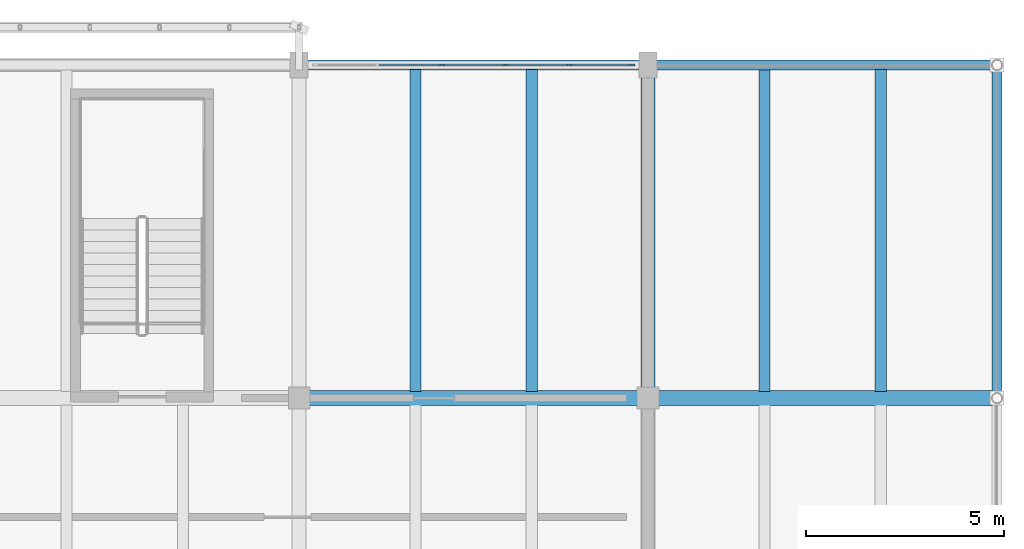
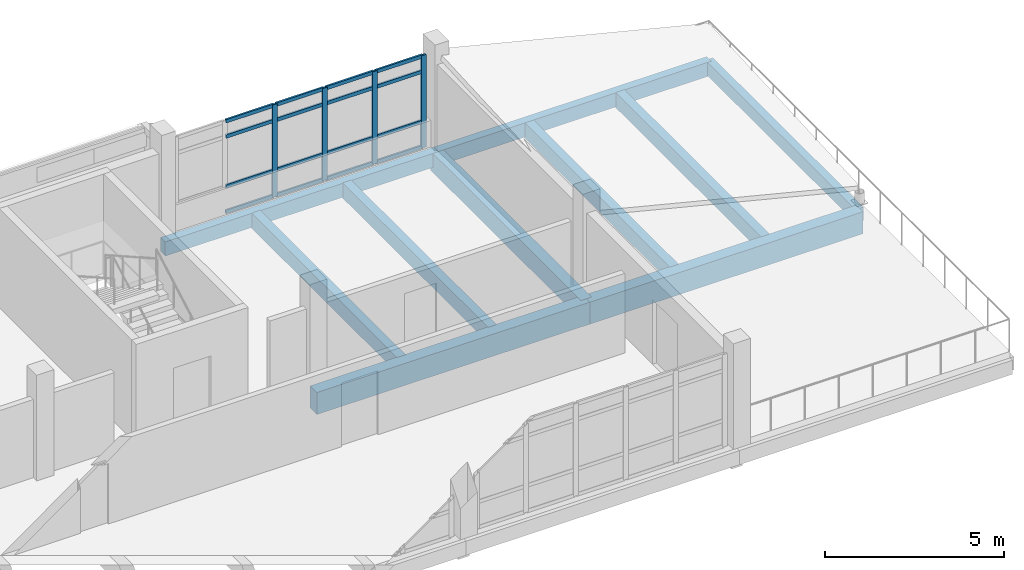
# One storey, part 19 of 30: 20 members, 10 beams, 1 element without a shape of its own.
"""IFC4 building model written with IfcOpenShell, lengths in metres."""

from ifc_helpers import new_model, si_unit, direction, frame, origin, origin_2d, place, context, subcontext, project, spatial, rectangle, extrude, material, material_profile, profile_set, type_object, element, aggregate, save


model = new_model("IFC4")

# Units and contexts
model_context = context("Model", 3, precision=1e-05, world=origin(), true_north=direction((0.0, 1.0)))
body_context = subcontext(model_context, "Body", "Model", "MODEL_VIEW")
ifc_project = project(units=[si_unit("LENGTHUNIT", "METRE"), si_unit("AREAUNIT", "SQUARE_METRE"), si_unit("VOLUMEUNIT", "CUBIC_METRE"), si_unit("PLANEANGLEUNIT", "RADIAN"), si_unit("MASSUNIT", "GRAM", prefix="KILO")], contexts=[model_context])

# Site, building, storey
site_placement = place(None, origin())
site = spatial("IfcSite", under=ifc_project, at=site_placement, CompositionType="ELEMENT")
building_placement = place(site_placement, origin())
building = spatial("IfcBuilding", under=site, at=building_placement, Name="Cinderway Yard Community Centre", CompositionType="ELEMENT")
storey_placement = place(building_placement, frame((0.0, 0.0, 16.5)))
storey = spatial("IfcBuildingStorey", under=building, at=storey_placement, Name="L04", CompositionType="ELEMENT", Elevation=16.5)

# Curtain wall, members
ifc_material_1 = material(Name="Aluminium 6063-T6", Category="aluminium")
curtain_wall_type = type_object("IfcCurtainWallType", Name="ENV-CW-TYPE-33", PredefinedType="USERDEFINED", material=ifc_material_1)
curtain_wall_placement = place(storey_placement, origin())
curtain_wall = element("IfcCurtainWall", 1, at=curtain_wall_placement, inside=storey, type_object=curtain_wall_type, Name="V4 Street Curtain Wall ENV-CW-L04-ST-0186", ObjectType="GLAZED CURTAIN WALL", PredefinedType="USERDEFINED")
ifc_material_profile_1 = material_profile(ifc_material_1, rectangle(XDim=0.06005859375, YDim=0.159912109375, at=origin_2d()), Name="Aluminium 6063-T6")
ifc_profile_set_1 = profile_set([ifc_material_profile_1], Name="Aluminium 6063-T6")
member_type_1 = type_object("IfcMemberType", Name="ENV-CW-MULL-150", PredefinedType="MULLION", material=ifc_profile_set_1)
member_1_placement = place(storey_placement, frame((122.7958984375, 115.199951171875, 0.0), z_axis=(0.0, 0.0, 1.0), x_axis=(0.0, 1.0, 0.0)))
member_1 = element("IfcMember", 2, at=member_1_placement, type_object=member_type_1, Name="CW-33 mullion 3", PredefinedType="MULLION", context=body_context, shape_type="SweptSolid", body=[
    extrude(rectangle(XDim=0.06005859375, YDim=0.159912109375, at=origin_2d()), origin(), (0.0, 0.0, 1.0), 3.14990234375),
])
member_2_placement = place(storey_placement, frame((124.404052734375, 115.199951171875, 0.0), z_axis=(0.0, 0.0, 1.0), x_axis=(0.0, 1.0, 0.0)))
member_2 = element("IfcMember", 3, at=member_2_placement, type_object=member_type_1, Name="CW-33 mullion 4", PredefinedType="MULLION", context=body_context, shape_type="SweptSolid", body=[
    extrude(rectangle(XDim=0.06005859375, YDim=0.159912109375, at=origin_2d()), origin(), (0.0, 0.0, 1.0), 3.14990234375),
])
member_3_placement = place(storey_placement, frame((126.011962890625, 115.199951171875, 0.0), z_axis=(0.0, 0.0, 1.0), x_axis=(0.0, 1.0, 0.0)))
member_3 = element("IfcMember", 4, at=member_3_placement, type_object=member_type_1, Name="CW-33 mullion 5", PredefinedType="MULLION", context=body_context, shape_type="SweptSolid", body=[
    extrude(rectangle(XDim=0.06005859375, YDim=0.159912109375, at=origin_2d()), origin(), (0.0, 0.0, 1.0), 3.14990234375),
])
member_4_placement = place(storey_placement, frame((127.590087890625, 115.199951171875, 0.0), z_axis=(0.0, 0.0, 1.0), x_axis=(0.0, 1.0, 0.0)))
member_4 = element("IfcMember", 5, at=member_4_placement, type_object=member_type_1, Name="CW-33 mullion 6", PredefinedType="MULLION", context=body_context, shape_type="SweptSolid", body=[
    extrude(rectangle(XDim=0.06005859375, YDim=0.159912109375, at=origin_2d()), origin(), (0.0, 0.0, 1.0), 3.14990234375),
])
ifc_material_profile_2 = material_profile(ifc_material_1, rectangle(XDim=0.06005859375, YDim=0.1201171875, at=origin_2d()), Name="Aluminium 6063-T6")
ifc_profile_set_2 = profile_set([ifc_material_profile_2], Name="Aluminium 6063-T6")
member_type_2 = type_object("IfcMemberType", Name="ENV-CW-TRAN-110", PredefinedType="USERDEFINED", material=ifc_profile_set_2)
member_5_placement = place(storey_placement, frame((121.218017578125, 115.199951171875, 0.030029296875), z_axis=(1.0, 0.0, 0.0), x_axis=(0.0, 1.0, 0.0)))
member_5 = element("IfcMember", 6, at=member_5_placement, type_object=member_type_2, Name="CW-33 transom 2.1", ObjectType="TRANSOM", PredefinedType="USERDEFINED", context=body_context, shape_type="SweptSolid", body=[
    extrude(rectangle(XDim=0.06005859375, YDim=0.1201171875, at=origin_2d()), origin(), (0.0, 0.0, 1.0), 1.548095703125),
])
member_6_placement = place(storey_placement, frame((121.218017578125, 115.199951171875, 0.89990234375), z_axis=(1.0, 0.0, 0.0), x_axis=(0.0, 1.0, 0.0)))
member_6 = element("IfcMember", 7, at=member_6_placement, type_object=member_type_2, Name="CW-33 transom 2.2", ObjectType="TRANSOM", PredefinedType="USERDEFINED", context=body_context, shape_type="SweptSolid", body=[
    extrude(rectangle(XDim=0.06005859375, YDim=0.1201171875, at=origin_2d()), origin(), (0.0, 0.0, 1.0), 1.548095703125),
])
member_7_placement = place(storey_placement, frame((121.218017578125, 115.199951171875, 2.60009765625), z_axis=(1.0, 0.0, 0.0), x_axis=(0.0, 1.0, 0.0)))
member_7 = element("IfcMember", 8, at=member_7_placement, type_object=member_type_2, Name="CW-33 transom 2.3", ObjectType="TRANSOM", PredefinedType="USERDEFINED", context=body_context, shape_type="SweptSolid", body=[
    extrude(rectangle(XDim=0.06005859375, YDim=0.1201171875, at=origin_2d()), origin(), (0.0, 0.0, 1.0), 1.548095703125),
])
member_8_placement = place(storey_placement, frame((121.218017578125, 115.199951171875, 3.1201171875), z_axis=(1.0, 0.0, 0.0), x_axis=(0.0, 1.0, 0.0)))
member_8 = element("IfcMember", 9, at=member_8_placement, type_object=member_type_2, Name="CW-33 transom 2.4", ObjectType="TRANSOM", PredefinedType="USERDEFINED", context=body_context, shape_type="SweptSolid", body=[
    extrude(rectangle(XDim=0.06005859375, YDim=0.1201171875, at=origin_2d()), origin(), (0.0, 0.0, 1.0), 1.548095703125),
])
member_9_placement = place(storey_placement, frame((122.825927734375, 115.199951171875, 0.030029296875), z_axis=(1.0, 0.0, 0.0), x_axis=(0.0, 1.0, 0.0)))
member_9 = element("IfcMember", 10, at=member_9_placement, type_object=member_type_2, Name="CW-33 transom 3.1", ObjectType="TRANSOM", PredefinedType="USERDEFINED", context=body_context, shape_type="SweptSolid", body=[
    extrude(rectangle(XDim=0.06005859375, YDim=0.1201171875, at=origin_2d()), origin(), (0.0, 0.0, 1.0), 1.548095703125),
])
member_10_placement = place(storey_placement, frame((122.825927734375, 115.199951171875, 0.89990234375), z_axis=(1.0, 0.0, 0.0), x_axis=(0.0, 1.0, 0.0)))
member_10 = element("IfcMember", 11, at=member_10_placement, type_object=member_type_2, Name="CW-33 transom 3.2", ObjectType="TRANSOM", PredefinedType="USERDEFINED", context=body_context, shape_type="SweptSolid", body=[
    extrude(rectangle(XDim=0.06005859375, YDim=0.1201171875, at=origin_2d()), origin(), (0.0, 0.0, 1.0), 1.548095703125),
])
member_11_placement = place(storey_placement, frame((122.825927734375, 115.199951171875, 2.60009765625), z_axis=(1.0, 0.0, 0.0), x_axis=(0.0, 1.0, 0.0)))
member_11 = element("IfcMember", 12, at=member_11_placement, type_object=member_type_2, Name="CW-33 transom 3.3", ObjectType="TRANSOM", PredefinedType="USERDEFINED", context=body_context, shape_type="SweptSolid", body=[
    extrude(rectangle(XDim=0.06005859375, YDim=0.1201171875, at=origin_2d()), origin(), (0.0, 0.0, 1.0), 1.548095703125),
])
member_12_placement = place(storey_placement, frame((122.825927734375, 115.199951171875, 3.1201171875), z_axis=(1.0, 0.0, 0.0), x_axis=(0.0, 1.0, 0.0)))
member_12 = element("IfcMember", 13, at=member_12_placement, type_object=member_type_2, Name="CW-33 transom 3.4", ObjectType="TRANSOM", PredefinedType="USERDEFINED", context=body_context, shape_type="SweptSolid", body=[
    extrude(rectangle(XDim=0.06005859375, YDim=0.1201171875, at=origin_2d()), origin(), (0.0, 0.0, 1.0), 1.548095703125),
])
member_13_placement = place(storey_placement, frame((124.43408203125, 115.199951171875, 0.030029296875), z_axis=(1.0, 0.0, 0.0), x_axis=(0.0, 1.0, 0.0)))
member_13 = element("IfcMember", 14, at=member_13_placement, type_object=member_type_2, Name="CW-33 transom 4.1", ObjectType="TRANSOM", PredefinedType="USERDEFINED", context=body_context, shape_type="SweptSolid", body=[
    extrude(rectangle(XDim=0.06005859375, YDim=0.1201171875, at=origin_2d()), origin(), (0.0, 0.0, 1.0), 1.5478515625),
])
member_14_placement = place(storey_placement, frame((124.43408203125, 115.199951171875, 0.89990234375), z_axis=(1.0, 0.0, 0.0), x_axis=(0.0, 1.0, 0.0)))
member_14 = element("IfcMember", 15, at=member_14_placement, type_object=member_type_2, Name="CW-33 transom 4.2", ObjectType="TRANSOM", PredefinedType="USERDEFINED", context=body_context, shape_type="SweptSolid", body=[
    extrude(rectangle(XDim=0.06005859375, YDim=0.1201171875, at=origin_2d()), origin(), (0.0, 0.0, 1.0), 1.5478515625),
])
member_15_placement = place(storey_placement, frame((124.43408203125, 115.199951171875, 2.60009765625), z_axis=(1.0, 0.0, 0.0), x_axis=(0.0, 1.0, 0.0)))
member_15 = element("IfcMember", 16, at=member_15_placement, type_object=member_type_2, Name="CW-33 transom 4.3", ObjectType="TRANSOM", PredefinedType="USERDEFINED", context=body_context, shape_type="SweptSolid", body=[
    extrude(rectangle(XDim=0.06005859375, YDim=0.1201171875, at=origin_2d()), origin(), (0.0, 0.0, 1.0), 1.5478515625),
])
member_16_placement = place(storey_placement, frame((124.43408203125, 115.199951171875, 3.1201171875), z_axis=(1.0, 0.0, 0.0), x_axis=(0.0, 1.0, 0.0)))
member_16 = element("IfcMember", 17, at=member_16_placement, type_object=member_type_2, Name="CW-33 transom 4.4", ObjectType="TRANSOM", PredefinedType="USERDEFINED", context=body_context, shape_type="SweptSolid", body=[
    extrude(rectangle(XDim=0.06005859375, YDim=0.1201171875, at=origin_2d()), origin(), (0.0, 0.0, 1.0), 1.5478515625),
])
member_17_placement = place(storey_placement, frame((126.0419921875, 115.199951171875, 0.030029296875), z_axis=(1.0, 0.0, 0.0), x_axis=(0.0, 1.0, 0.0)))
member_17 = element("IfcMember", 18, at=member_17_placement, type_object=member_type_2, Name="CW-33 transom 5.1", ObjectType="TRANSOM", PredefinedType="USERDEFINED", context=body_context, shape_type="SweptSolid", body=[
    extrude(rectangle(XDim=0.06005859375, YDim=0.1201171875, at=origin_2d()), origin(), (0.0, 0.0, 1.0), 1.51806640625),
])
member_18_placement = place(storey_placement, frame((126.0419921875, 115.199951171875, 0.89990234375), z_axis=(1.0, 0.0, 0.0), x_axis=(0.0, 1.0, 0.0)))
member_18 = element("IfcMember", 19, at=member_18_placement, type_object=member_type_2, Name="CW-33 transom 5.2", ObjectType="TRANSOM", PredefinedType="USERDEFINED", context=body_context, shape_type="SweptSolid", body=[
    extrude(rectangle(XDim=0.06005859375, YDim=0.1201171875, at=origin_2d()), origin(), (0.0, 0.0, 1.0), 1.51806640625),
])
member_19_placement = place(storey_placement, frame((126.0419921875, 115.199951171875, 2.60009765625), z_axis=(1.0, 0.0, 0.0), x_axis=(0.0, 1.0, 0.0)))
member_19 = element("IfcMember", 20, at=member_19_placement, type_object=member_type_2, Name="CW-33 transom 5.3", ObjectType="TRANSOM", PredefinedType="USERDEFINED", context=body_context, shape_type="SweptSolid", body=[
    extrude(rectangle(XDim=0.06005859375, YDim=0.1201171875, at=origin_2d()), origin(), (0.0, 0.0, 1.0), 1.51806640625),
])
member_20_placement = place(storey_placement, frame((126.0419921875, 115.199951171875, 3.1201171875), z_axis=(1.0, 0.0, 0.0), x_axis=(0.0, 1.0, 0.0)))
member_20 = element("IfcMember", 21, at=member_20_placement, type_object=member_type_2, Name="CW-33 transom 5.4", ObjectType="TRANSOM", PredefinedType="USERDEFINED", context=body_context, shape_type="SweptSolid", body=[
    extrude(rectangle(XDim=0.06005859375, YDim=0.1201171875, at=origin_2d()), origin(), (0.0, 0.0, 1.0), 1.51806640625),
])
aggregate(curtain_wall, [member_1, member_2, member_3, member_4, member_5, member_6, member_7, member_8, member_9, member_10, member_11, member_12, member_13, member_14, member_15, member_16, member_17, member_18, member_19, member_20])

# Beams
ifc_material_2 = material(Name="Concrete C40/50", Category="concrete")
ifc_material_profile_3 = material_profile(ifc_material_2, rectangle(XDim=0.25, YDim=0.449951171875, at=origin_2d()), Name="Concrete C40/50")
ifc_profile_set_3 = profile_set([ifc_material_profile_3], Name="Concrete C40/50")
beam_type_1 = type_object("IfcBeamType", Name="STR-BM-RC250X450", PredefinedType="SPANDREL", material=ifc_profile_set_3)
beam_1_placement = place(storey_placement, frame((136.800048828125, 106.800048828125, -0.445068359375), z_axis=(0.0, 1.0, 0.0), x_axis=(-1.0, 0.0, 0.0)))
element("IfcBeam", 22, at=beam_1_placement, inside=storey, type_object=beam_type_1, Name="Transverse girder STR-BM-L04-SP02-0866", PredefinedType="SPANDREL", context=body_context, shape_type="SweptSolid", body=[
    extrude(rectangle(XDim=0.25, YDim=0.449951171875, at=origin_2d()), origin(), (0.0, 0.0, 1.0), 8.39990234375),
])
ifc_material_profile_4 = material_profile(ifc_material_2, rectangle(XDim=0.260009765625, YDim=0.47998046875, at=origin_2d()), Name="Concrete C40/50")
ifc_profile_set_4 = profile_set([ifc_material_profile_4], Name="Concrete C40/50")
beam_type_2 = type_object("IfcBeamType", Name="STR-BM-RC260X480", PredefinedType="SPANDREL", material=ifc_profile_set_4)
for number, where, z_axis, x_axis, name in (
    (23, (119.199951171875, 115.199951171875, -0.4599609375), (1.0, 0.0, 0.0), (0.0, 1.0, 0.0), "Primary girder STR-BM-L04-SP01-0841"),
    (24, (128.0, 115.199951171875, -0.4599609375), (1.0, 0.0, 0.0), (0.0, 1.0, 0.0), "Primary girder STR-BM-L04-SP01-0842"),
):
    element("IfcBeam", number, at=place(storey_placement, frame(where, z_axis=z_axis, x_axis=x_axis)), inside=storey, type_object=beam_type_2, Name=name, PredefinedType="SPANDREL", context=body_context, shape_type="SweptSolid", body=[
        extrude(rectangle(XDim=0.260009765625, YDim=0.47998046875, at=origin_2d()), origin(), (0.0, 0.0, 1.0), 8.800048828125),
    ])
ifc_material_3 = material(Name="Concrete C35/45", Category="concrete")
ifc_material_profile_5 = material_profile(ifc_material_3, rectangle(XDim=0.280029296875, YDim=0.52001953125, at=origin_2d()), Name="Concrete C35/45")
ifc_profile_set_5 = profile_set([ifc_material_profile_5], Name="Concrete C35/45")
beam_type_3 = type_object("IfcBeamType", Name="STR-BM-RC280X520", PredefinedType="JOIST", material=ifc_profile_set_5)
for number, where, z_axis, x_axis, name in (
    (25, (122.133056640625, 106.971923828125, -0.47998046875), (0.0, 1.0, 0.0), (-1.0, 0.0, 0.0), "Secondary joist STR-BM-L04-BJ04-0900"),
    (26, (125.06689453125, 106.971923828125, -0.47998046875), (0.0, 1.0, 0.0), (-1.0, 0.0, 0.0), "Secondary joist STR-BM-L04-BJ04-0901"),
    (27, (130.93310546875, 106.971923828125, -0.47998046875), (0.0, 1.0, 0.0), (-1.0, 0.0, 0.0), "Secondary joist STR-BM-L04-BJ04-0904"),
    (28, (133.866943359375, 106.971923828125, -0.47998046875), (0.0, 1.0, 0.0), (-1.0, 0.0, 0.0), "Secondary joist STR-BM-L04-BJ04-0905"),
):
    element("IfcBeam", number, at=place(storey_placement, frame(where, z_axis=z_axis, x_axis=x_axis)), inside=storey, type_object=beam_type_3, Name=name, PredefinedType="JOIST", context=body_context, shape_type="SweptSolid", body=[
        extrude(rectangle(XDim=0.280029296875, YDim=0.52001953125, at=origin_2d()), origin(), (0.0, 0.0, 1.0), 8.115966796875),
    ])
ifc_material_profile_6 = material_profile(ifc_material_3, rectangle(XDim=0.35009765625, YDim=0.64990234375, at=origin_2d()), Name="Concrete C35/45")
ifc_profile_set_6 = profile_set([ifc_material_profile_6], Name="Concrete C35/45")
beam_type_4 = type_object("IfcBeamType", Name="STR-BM-RC350X650", PredefinedType="BEAM", material=ifc_profile_set_6)
beam_2_placement = place(storey_placement, frame((128.0, 106.800048828125, -0.544921875), z_axis=(0.0, 1.0, 0.0), x_axis=(-1.0, 0.0, 0.0)))
element("IfcBeam", 29, at=beam_2_placement, inside=storey, type_object=beam_type_4, Name="Transverse girder STR-BM-L04-BG08-0864", PredefinedType="BEAM", context=body_context, shape_type="SweptSolid", body=[
    extrude(rectangle(XDim=0.35009765625, YDim=0.64990234375, at=origin_2d()), origin(), (0.0, 0.0, 1.0), 8.39990234375),
])
ifc_material_profile_7 = material_profile(ifc_material_3, rectangle(XDim=0.3798828125, YDim=0.75, at=origin_2d()), Name="Concrete C35/45")
ifc_profile_set_7 = profile_set([ifc_material_profile_7], Name="Concrete C35/45")
beam_type_5 = type_object("IfcBeamType", Name="STR-BM-RC380X750", PredefinedType="BEAM", material=ifc_profile_set_7)
for number, where, z_axis, x_axis, name in (
    (30, (119.199951171875, 106.800048828125, -0.594970703125), (1.0, 0.0, 0.0), (0.0, 1.0, 0.0), "Primary girder STR-BM-L04-BG06-0830"),
    (31, (128.0, 106.800048828125, -0.594970703125), (1.0, 0.0, 0.0), (0.0, 1.0, 0.0), "Primary girder STR-BM-L04-BG06-0831"),
):
    element("IfcBeam", number, at=place(storey_placement, frame(where, z_axis=z_axis, x_axis=x_axis)), inside=storey, type_object=beam_type_5, Name=name, PredefinedType="BEAM", context=body_context, shape_type="SweptSolid", body=[
        extrude(rectangle(XDim=0.3798828125, YDim=0.75, at=origin_2d()), origin(), (0.0, 0.0, 1.0), 8.800048828125),
    ])

save(model, "model.ifc")
